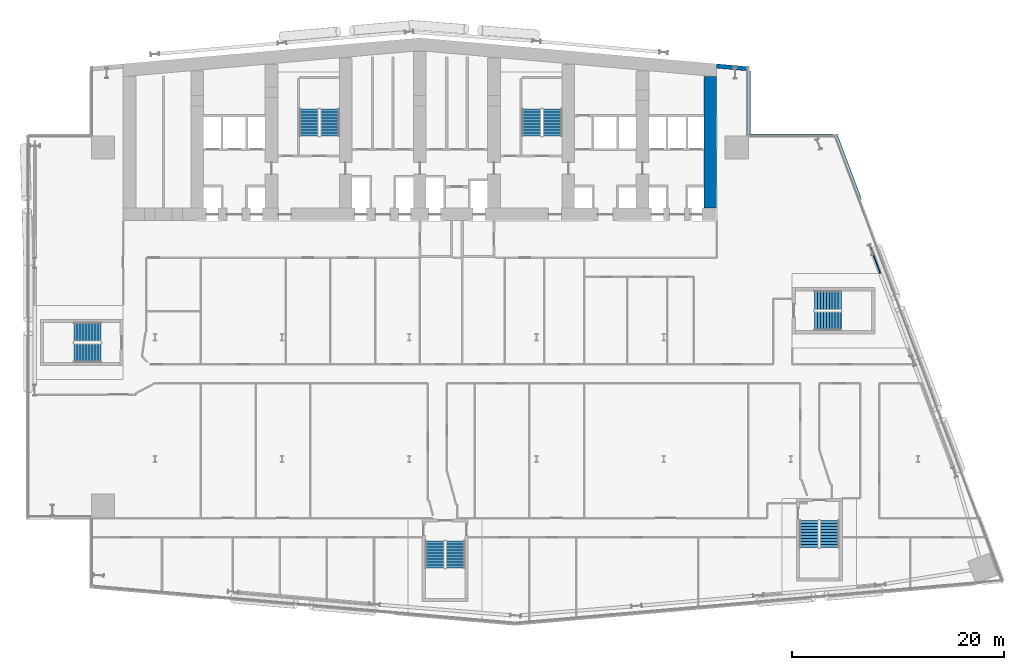
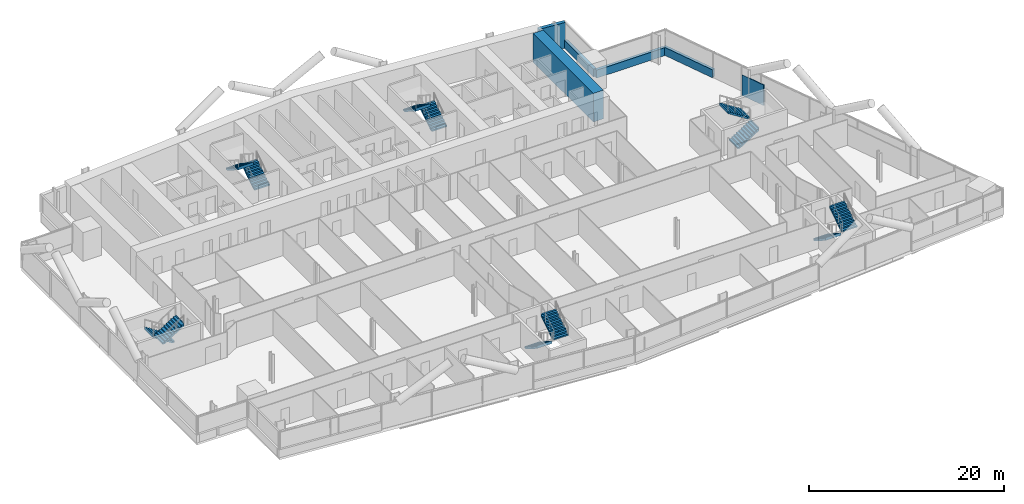
# One storey, part 21 of 28: 12 stair flights, 6 walls, 6 elements without a shape of their own.
"""IFC4 building model written with IfcOpenShell, lengths in metres."""

from ifc_helpers import new_model, si_unit, direction, frame, frame_2d, origin, place, context, subcontext, project, spatial, polyline, rectangle, outline, extrude, material, layer, layer_set, type_object, element, aggregate, save


model = new_model("IFC4")

# Units and contexts
model_context = context("Model", 3, precision=1e-05, world=origin(), true_north=direction((0.0, 1.0)))
body_context = subcontext(model_context, "Body", "Model", "MODEL_VIEW")
ifc_project = project(units=[si_unit("LENGTHUNIT", "METRE"), si_unit("AREAUNIT", "SQUARE_METRE"), si_unit("VOLUMEUNIT", "CUBIC_METRE"), si_unit("PLANEANGLEUNIT", "RADIAN"), si_unit("MASSUNIT", "GRAM", prefix="KILO")], contexts=[model_context])

# Site, building, storey
site_placement = place(None, origin())
site = spatial("IfcSite", under=ifc_project, at=site_placement, CompositionType="ELEMENT")
building_placement = place(site_placement, origin())
building = spatial("IfcBuilding", under=site, at=building_placement, Name="Wharfspan Tower", CompositionType="ELEMENT")
storey_placement = place(building_placement, frame((0.0, 0.0, 52.300049)))
storey = spatial("IfcBuildingStorey", under=building, at=storey_placement, Name="L09", CompositionType="ELEMENT", Elevation=52.300049)

# Walls
ifc_material_1 = material(Name="Concrete C70/85", Category="concrete")
ifc_layer_1 = layer(ifc_material_1, 1.199951)
ifc_layer_set_1 = layer_set([ifc_layer_1], Name="Concrete C70/85")
wall_type_1 = type_object("IfcWallType", Name="Core wall 1200 C70/85", PredefinedType="SHEAR", material=ifc_layer_set_1)
wall_1_placement = place(storey_placement, frame((64.399902, 35.199951, 0.0), z_axis=(0.0, 0.0, 1.0), x_axis=(0.0, 1.0, 0.0)))
element("IfcWall", 1, at=wall_1_placement, inside=storey, type_object=wall_type_1, Name="Core cross wall EW1 L09", PredefinedType="SHEAR", context=body_context, shape_type="SweptSolid", body=[
    extrude(rectangle(XDim=12.382812, YDim=1.199951, at=frame_2d((6.191406, 0.0))), origin(), (0.0, 0.0, 1.0), 3.599854),
])
ifc_material_2 = material(Name="Gypsum board on steel studs", Category="steel")
ifc_layer_2 = layer(ifc_material_2, 0.100098)
ifc_layer_set_2 = layer_set([ifc_layer_2], Name="Gypsum board on steel studs")
wall_type_2 = type_object("IfcWallType", Name="Partition 100", PredefinedType="PARTITIONING", material=ifc_layer_set_2)
wall_2_placement = place(storey_placement, frame((80.44751, 29.02002, 0.0), z_axis=(0.0, 0.0, 1.0), x_axis=(-0.35129, 0.93627, 0.0)))
element("IfcWall", 2, at=wall_2_placement, inside=storey, type_object=wall_type_2, Name="Partition L09.w086", PredefinedType="PARTITIONING", context=body_context, shape_type="SweptSolid", body=[
    extrude(rectangle(XDim=2.910645, YDim=0.100098, at=frame_2d((1.455322, 0.0))), origin(), (0.0, 0.0, 1.0), 2.579834),
])
ifc_material_3 = material(Name="Concrete C40/50", Category="concrete")
ifc_layer_3 = layer(ifc_material_3, 0.350098)
ifc_layer_set_3 = layer_set([ifc_layer_3], Name="Concrete C40/50")
wall_type_3 = type_object("IfcWallType", Name="SPANDREL EXPOSED CONCRETE 350", PredefinedType="SOLIDWALL", material=ifc_layer_set_3)
wall_3_placement = place(storey_placement, frame((78.494141, 36.029785, 0.0), z_axis=(0.0, 0.0, 1.0), x_axis=(-0.351108, 0.936338, 0.0)))
element("IfcWall", 3, at=wall_3_placement, inside=storey, type_object=wall_type_3, Name="Spandrel upstand L09 E 2", PredefinedType="SOLIDWALL", context=body_context, shape_type="SweptSolid", body=[
    extrude(rectangle(XDim=6.50293, YDim=0.350098, at=frame_2d((3.251465, 0.0))), origin(), (0.0, 0.0, 1.0), 1.0),
])
wall_4_placement = place(storey_placement, frame((76.047119, 42.004883, 0.0), z_axis=(0.0, 0.0, 1.0), x_axis=(-1.0, 0.0, 0.0)))
element("IfcWall", 4, at=wall_4_placement, inside=storey, type_object=wall_type_3, Name="Spandrel upstand L09 NRE-H", PredefinedType="SOLIDWALL", context=body_context, shape_type="SweptSolid", body=[
    extrude(rectangle(XDim=8.047119, YDim=0.350098, at=frame_2d((4.023438, 0.0))), origin(), (0.0, 0.0, 1.0), 1.0),
])
wall_5_placement = place(storey_placement, frame((68.004883, 42.179932, 0.0), z_axis=(0.0, 0.0, 1.0), x_axis=(0.0, 1.0, 0.0)))
element("IfcWall", 5, at=wall_5_placement, inside=storey, type_object=wall_type_3, Name="Spandrel upstand L09 NRE-V", PredefinedType="SOLIDWALL", context=body_context, shape_type="SweptSolid", body=[
    extrude(rectangle(XDim=5.946533, YDim=0.350098, at=frame_2d((2.973145, 0.0))), origin(), (0.0, 0.0, 1.0), 1.0),
])
ifc_layer_4 = layer(ifc_material_3, 0.399902)
ifc_layer_set_4 = layer_set([ifc_layer_4], Name="Concrete C40/50")
wall_type_4 = type_object("IfcWallType", Name="WALL EXPOSED CONCRETE 400", PredefinedType="SOLIDWALL", material=ifc_layer_set_4)
wall_6_placement = place(storey_placement, frame((67.982666, 48.325684, 0.0), z_axis=(0.0, 0.0, 1.0), x_axis=(-0.996194, 0.087168, 0.0)))
element("IfcWall", 6, at=wall_6_placement, inside=storey, type_object=wall_type_4, Name="Rear wall N2", PredefinedType="SOLIDWALL", context=body_context, shape_type="SweptSolid", body=[
    extrude(rectangle(XDim=2.994141, YDim=0.399902, at=frame_2d((1.49707, 0.0))), origin(), (0.0, 0.0, 1.0), 3.199951),
])

# Stair, stair flights
stair_type = type_object("IfcStairType", Name="Half-turn stair 20 risers 180 mm", PredefinedType="HALF_TURN_STAIR", material=ifc_material_3)
stair_1_placement = place(storey_placement, origin())
stair_1 = element("IfcStair", 7, at=stair_1_placement, inside=storey, type_object=stair_type, Name="L09 stair ST1", PredefinedType="HALF_TURN_STAIR")
stair_flight_type = type_object("IfcStairFlightType", Name="Stair flight 20 risers 180 mm", PredefinedType="STRAIGHT", material=ifc_material_3)
stair_flight_1_placement = place(storey_placement, frame((28.5, 42.0, 0.0), z_axis=(0.0, 0.0, 1.0), x_axis=(0.0, 1.0, 0.0)))
stair_flight_1 = element("IfcStairFlight", 8, at=stair_flight_1_placement, type_object=stair_flight_type, Name="ST1 flight 1", NumberOfRisers=10, NumberOfTreads=9, PredefinedType="STRAIGHT", RiserHeight=0.18, TreadLength=0.28, context=body_context, shape_type="SweptSolid", body=[
    extrude(outline(polyline([(-0.011963, 0.0), (-0.011963, 0.179932), (0.0, 0.179932), (0.280029, 0.179932), (0.280029, 0.360107), (0.560059, 0.360107), (0.560059, 0.540039), (0.840088, 0.540039), (0.840088, 0.719971), (1.120117, 0.719971), (1.120117, 0.899902), (1.399902, 0.899902), (1.399902, 1.080078), (1.679932, 1.080078), (1.679932, 1.26001), (1.959961, 1.26001), (1.959961, 1.439941), (2.23999, 1.439941), (2.23999, 1.620117), (2.52002, 1.620117), (2.531982, 1.800049), (2.531982, 1.441895), (0.2771, 0.0), (-0.011963, 0.0)])), frame((0.0, 0.899902, 0.0), z_axis=(0.0, -1.0, 0.0), x_axis=(1.0, 0.0, 0.0)), (0.0, 0.0, 1.0), 0.899414),
    extrude(outline(polyline([(-0.011963, 0.0), (-0.011963, 0.179932), (0.0, 0.179932), (0.280029, 0.179932), (0.280029, 0.360107), (0.560059, 0.360107), (0.560059, 0.540039), (0.840088, 0.540039), (0.840088, 0.719971), (1.120117, 0.719971), (1.120117, 0.899902), (1.399902, 0.899902), (1.399902, 1.080078), (1.679932, 1.080078), (1.679932, 1.26001), (1.959961, 1.26001), (1.959961, 1.439941), (2.23999, 1.439941), (2.23999, 1.620117), (2.52002, 1.620117), (2.531982, 1.800049), (2.531982, 1.441895), (0.2771, 0.0), (-0.011963, 0.0)])), frame((0.0, -0.000488, 0.0), z_axis=(0.0, -1.0, 0.0), x_axis=(1.0, 0.0, 0.0)), (0.0, 0.0, 1.0), 0.899414),
])
stair_flight_2_placement = place(storey_placement, frame((26.550049, 44.52002, 1.800049), z_axis=(0.0, 0.0, 1.0), x_axis=(0.0, -1.0, 0.0)))
stair_flight_2 = element("IfcStairFlight", 9, at=stair_flight_2_placement, type_object=stair_flight_type, Name="ST1 flight 2", NumberOfRisers=10, NumberOfTreads=9, PredefinedType="STRAIGHT", RiserHeight=0.18, TreadLength=0.28, context=body_context, shape_type="SweptSolid", body=[
    extrude(outline(polyline([(-0.011963, 0.0), (-0.011963, 0.179932), (0.0, 0.179932), (0.280029, 0.179932), (0.280029, 0.360107), (0.560059, 0.360107), (0.560059, 0.540039), (0.840088, 0.540039), (0.840088, 0.719971), (1.120117, 0.719971), (1.120117, 0.899902), (1.399902, 0.899902), (1.399902, 1.080078), (1.679932, 1.080078), (1.679932, 1.26001), (1.959961, 1.26001), (1.959961, 1.439941), (2.23999, 1.439941), (2.23999, 1.620117), (2.52002, 1.620117), (2.531982, 1.800049), (2.531982, 1.441895), (0.2771, 0.0), (-0.011963, 0.0)])), frame((0.0, 0.899902, 0.0), z_axis=(0.0, -1.0, 0.0), x_axis=(1.0, 0.0, 0.0)), (0.0, 0.0, 1.0), 0.899414),
    extrude(outline(polyline([(-0.011963, 0.0), (-0.011963, 0.179932), (0.0, 0.179932), (0.280029, 0.179932), (0.280029, 0.360107), (0.560059, 0.360107), (0.560059, 0.540039), (0.840088, 0.540039), (0.840088, 0.719971), (1.120117, 0.719971), (1.120117, 0.899902), (1.399902, 0.899902), (1.399902, 1.080078), (1.679932, 1.080078), (1.679932, 1.26001), (1.959961, 1.26001), (1.959961, 1.439941), (2.23999, 1.439941), (2.23999, 1.620117), (2.52002, 1.620117), (2.531982, 1.800049), (2.531982, 1.441895), (0.2771, 0.0), (-0.011963, 0.0)])), frame((0.0, -0.000488, 0.0), z_axis=(0.0, -1.0, 0.0), x_axis=(1.0, 0.0, 0.0)), (0.0, 0.0, 1.0), 0.899414),
])
aggregate(stair_1, [stair_flight_1, stair_flight_2])

stair_2_placement = place(storey_placement, origin())
stair_2 = element("IfcStair", 10, at=stair_2_placement, inside=storey, type_object=stair_type, Name="L09 stair ST2", PredefinedType="HALF_TURN_STAIR")
stair_flight_3_placement = place(storey_placement, frame((49.5, 42.0, 0.0), z_axis=(0.0, 0.0, 1.0), x_axis=(0.0, 1.0, 0.0)))
stair_flight_3 = element("IfcStairFlight", 11, at=stair_flight_3_placement, type_object=stair_flight_type, Name="ST2 flight 1", NumberOfRisers=10, NumberOfTreads=9, PredefinedType="STRAIGHT", RiserHeight=0.18, TreadLength=0.28, context=body_context, shape_type="SweptSolid", body=[
    extrude(outline(polyline([(-0.011963, 0.0), (-0.011963, 0.179932), (0.0, 0.179932), (0.280029, 0.179932), (0.280029, 0.360107), (0.560059, 0.360107), (0.560059, 0.540039), (0.840088, 0.540039), (0.840088, 0.719971), (1.120117, 0.719971), (1.120117, 0.899902), (1.399902, 0.899902), (1.399902, 1.080078), (1.679932, 1.080078), (1.679932, 1.26001), (1.959961, 1.26001), (1.959961, 1.439941), (2.23999, 1.439941), (2.23999, 1.620117), (2.52002, 1.620117), (2.531982, 1.800049), (2.531982, 1.441895), (0.2771, 0.0), (-0.011963, 0.0)])), frame((0.0, 0.899902, 0.0), z_axis=(0.0, -1.0, 0.0), x_axis=(1.0, 0.0, 0.0)), (0.0, 0.0, 1.0), 0.899414),
    extrude(outline(polyline([(-0.011963, 0.0), (-0.011963, 0.179932), (0.0, 0.179932), (0.280029, 0.179932), (0.280029, 0.360107), (0.560059, 0.360107), (0.560059, 0.540039), (0.840088, 0.540039), (0.840088, 0.719971), (1.120117, 0.719971), (1.120117, 0.899902), (1.399902, 0.899902), (1.399902, 1.080078), (1.679932, 1.080078), (1.679932, 1.26001), (1.959961, 1.26001), (1.959961, 1.439941), (2.23999, 1.439941), (2.23999, 1.620117), (2.52002, 1.620117), (2.531982, 1.800049), (2.531982, 1.441895), (0.2771, 0.0), (-0.011963, 0.0)])), frame((0.0, -0.000488, 0.0), z_axis=(0.0, -1.0, 0.0), x_axis=(1.0, 0.0, 0.0)), (0.0, 0.0, 1.0), 0.899414),
])
stair_flight_4_placement = place(storey_placement, frame((47.550049, 44.52002, 1.800049), z_axis=(0.0, 0.0, 1.0), x_axis=(0.0, -1.0, 0.0)))
stair_flight_4 = element("IfcStairFlight", 12, at=stair_flight_4_placement, type_object=stair_flight_type, Name="ST2 flight 2", NumberOfRisers=10, NumberOfTreads=9, PredefinedType="STRAIGHT", RiserHeight=0.18, TreadLength=0.28, context=body_context, shape_type="SweptSolid", body=[
    extrude(outline(polyline([(-0.011963, 0.0), (-0.011963, 0.179932), (0.0, 0.179932), (0.280029, 0.179932), (0.280029, 0.360107), (0.560059, 0.360107), (0.560059, 0.540039), (0.840088, 0.540039), (0.840088, 0.719971), (1.120117, 0.719971), (1.120117, 0.899902), (1.399902, 0.899902), (1.399902, 1.080078), (1.679932, 1.080078), (1.679932, 1.26001), (1.959961, 1.26001), (1.959961, 1.439941), (2.23999, 1.439941), (2.23999, 1.620117), (2.52002, 1.620117), (2.531982, 1.800049), (2.531982, 1.441895), (0.2771, 0.0), (-0.011963, 0.0)])), frame((0.0, 0.899902, 0.0), z_axis=(0.0, -1.0, 0.0), x_axis=(1.0, 0.0, 0.0)), (0.0, 0.0, 1.0), 0.899414),
    extrude(outline(polyline([(-0.011963, 0.0), (-0.011963, 0.179932), (0.0, 0.179932), (0.280029, 0.179932), (0.280029, 0.360107), (0.560059, 0.360107), (0.560059, 0.540039), (0.840088, 0.540039), (0.840088, 0.719971), (1.120117, 0.719971), (1.120117, 0.899902), (1.399902, 0.899902), (1.399902, 1.080078), (1.679932, 1.080078), (1.679932, 1.26001), (1.959961, 1.26001), (1.959961, 1.439941), (2.23999, 1.439941), (2.23999, 1.620117), (2.52002, 1.620117), (2.531982, 1.800049), (2.531982, 1.441895), (0.2771, 0.0), (-0.011963, 0.0)])), frame((0.0, -0.000488, 0.0), z_axis=(0.0, -1.0, 0.0), x_axis=(1.0, 0.0, 0.0)), (0.0, 0.0, 1.0), 0.899414),
])
aggregate(stair_2, [stair_flight_3, stair_flight_4])

stair_3_placement = place(storey_placement, origin())
stair_3 = element("IfcStair", 13, at=stair_3_placement, inside=storey, type_object=stair_type, Name="L09 stair ST3", PredefinedType="HALF_TURN_STAIR")
stair_flight_5_placement = place(storey_placement, frame((6.899902, 23.475098, 0.0), z_axis=(0.0, 0.0, 1.0), x_axis=(-1.0, 0.0, 0.0)))
stair_flight_5 = element("IfcStairFlight", 14, at=stair_flight_5_placement, type_object=stair_flight_type, Name="ST3 flight 1", NumberOfRisers=10, NumberOfTreads=9, PredefinedType="STRAIGHT", RiserHeight=0.18, TreadLength=0.28, context=body_context, shape_type="SweptSolid", body=[
    extrude(outline(polyline([(-0.011963, 0.0), (-0.011963, 0.179932), (0.0, 0.179932), (0.280029, 0.179932), (0.280029, 0.360107), (0.560059, 0.360107), (0.560059, 0.540039), (0.840088, 0.540039), (0.840088, 0.719971), (1.120117, 0.719971), (1.120117, 0.899902), (1.399902, 0.899902), (1.399902, 1.080078), (1.679932, 1.080078), (1.679932, 1.26001), (1.959961, 1.26001), (1.959961, 1.439941), (2.23999, 1.439941), (2.23999, 1.620117), (2.52002, 1.620117), (2.531982, 1.800049), (2.531982, 1.441895), (0.2771, 0.0), (-0.011963, 0.0)])), frame((0.0, 0.899902, 0.0), z_axis=(0.0, -1.0, 0.0), x_axis=(1.0, 0.0, 0.0)), (0.0, 0.0, 1.0), 0.899414),
    extrude(outline(polyline([(-0.011963, 0.0), (-0.011963, 0.179932), (0.0, 0.179932), (0.280029, 0.179932), (0.280029, 0.360107), (0.560059, 0.360107), (0.560059, 0.540039), (0.840088, 0.540039), (0.840088, 0.719971), (1.120117, 0.719971), (1.120117, 0.899902), (1.399902, 0.899902), (1.399902, 1.080078), (1.679932, 1.080078), (1.679932, 1.26001), (1.959961, 1.26001), (1.959961, 1.439941), (2.23999, 1.439941), (2.23999, 1.620117), (2.52002, 1.620117), (2.531982, 1.800049), (2.531982, 1.441895), (0.2771, 0.0), (-0.011963, 0.0)])), frame((0.0, -0.000488, 0.0), z_axis=(0.0, -1.0, 0.0), x_axis=(1.0, 0.0, 0.0)), (0.0, 0.0, 1.0), 0.899414),
])
stair_flight_6_placement = place(storey_placement, frame((4.379883, 21.524902, 1.800049), z_axis=(0.0, 0.0, 1.0), x_axis=(1.0, 0.0, 0.0)))
stair_flight_6 = element("IfcStairFlight", 15, at=stair_flight_6_placement, type_object=stair_flight_type, Name="ST3 flight 2", NumberOfRisers=10, NumberOfTreads=9, PredefinedType="STRAIGHT", RiserHeight=0.18, TreadLength=0.28, context=body_context, shape_type="SweptSolid", body=[
    extrude(outline(polyline([(-0.011963, 0.0), (-0.011963, 0.179932), (0.0, 0.179932), (0.280029, 0.179932), (0.280029, 0.360107), (0.560059, 0.360107), (0.560059, 0.540039), (0.840088, 0.540039), (0.840088, 0.719971), (1.120117, 0.719971), (1.120117, 0.899902), (1.399902, 0.899902), (1.399902, 1.080078), (1.679932, 1.080078), (1.679932, 1.26001), (1.959961, 1.26001), (1.959961, 1.439941), (2.23999, 1.439941), (2.23999, 1.620117), (2.52002, 1.620117), (2.531982, 1.800049), (2.531982, 1.441895), (0.2771, 0.0), (-0.011963, 0.0)])), frame((0.0, 0.899902, 0.0), z_axis=(0.0, -1.0, 0.0), x_axis=(1.0, 0.0, 0.0)), (0.0, 0.0, 1.0), 0.899414),
    extrude(outline(polyline([(-0.011963, 0.0), (-0.011963, 0.179932), (0.0, 0.179932), (0.280029, 0.179932), (0.280029, 0.360107), (0.560059, 0.360107), (0.560059, 0.540039), (0.840088, 0.540039), (0.840088, 0.719971), (1.120117, 0.719971), (1.120117, 0.899902), (1.399902, 0.899902), (1.399902, 1.080078), (1.679932, 1.080078), (1.679932, 1.26001), (1.959961, 1.26001), (1.959961, 1.439941), (2.23999, 1.439941), (2.23999, 1.620117), (2.52002, 1.620117), (2.531982, 1.800049), (2.531982, 1.441895), (0.2771, 0.0), (-0.011963, 0.0)])), frame((0.0, -0.000488, 0.0), z_axis=(0.0, -1.0, 0.0), x_axis=(1.0, 0.0, 0.0)), (0.0, 0.0, 1.0), 0.899414),
])
aggregate(stair_3, [stair_flight_5, stair_flight_6])

stair_4_placement = place(storey_placement, origin())
stair_4 = element("IfcStair", 16, at=stair_4_placement, inside=storey, type_object=stair_type, Name="L09 stair ST4", PredefinedType="HALF_TURN_STAIR")
stair_flight_7_placement = place(storey_placement, frame((38.408203, 3.760498, 0.0), z_axis=(0.0, 0.0, 1.0), x_axis=(0.0, -1.0, 0.0)))
stair_flight_7 = element("IfcStairFlight", 17, at=stair_flight_7_placement, type_object=stair_flight_type, Name="ST4 flight 1", NumberOfRisers=10, NumberOfTreads=9, PredefinedType="STRAIGHT", RiserHeight=0.18, TreadLength=0.28, context=body_context, shape_type="SweptSolid", body=[
    extrude(outline(polyline([(-0.011963, 0.0), (-0.011963, 0.179932), (0.0, 0.179932), (0.280029, 0.179932), (0.280029, 0.360107), (0.560059, 0.360107), (0.560059, 0.540039), (0.840088, 0.540039), (0.840088, 0.719971), (1.120117, 0.719971), (1.120117, 0.899902), (1.399902, 0.899902), (1.399902, 1.080078), (1.679932, 1.080078), (1.679932, 1.26001), (1.959961, 1.26001), (1.959961, 1.439941), (2.23999, 1.439941), (2.23999, 1.620117), (2.52002, 1.620117), (2.531982, 1.800049), (2.531982, 1.441895), (0.2771, 0.0), (-0.011963, 0.0)])), frame((0.0, 0.899902, 0.0), z_axis=(0.0, -1.0, 0.0), x_axis=(1.0, 0.0, 0.0)), (0.0, 0.0, 1.0), 0.899414),
    extrude(outline(polyline([(-0.011963, 0.0), (-0.011963, 0.179932), (0.0, 0.179932), (0.280029, 0.179932), (0.280029, 0.360107), (0.560059, 0.360107), (0.560059, 0.540039), (0.840088, 0.540039), (0.840088, 0.719971), (1.120117, 0.719971), (1.120117, 0.899902), (1.399902, 0.899902), (1.399902, 1.080078), (1.679932, 1.080078), (1.679932, 1.26001), (1.959961, 1.26001), (1.959961, 1.439941), (2.23999, 1.439941), (2.23999, 1.620117), (2.52002, 1.620117), (2.531982, 1.800049), (2.531982, 1.441895), (0.2771, 0.0), (-0.011963, 0.0)])), frame((0.0, -0.000488, 0.0), z_axis=(0.0, -1.0, 0.0), x_axis=(1.0, 0.0, 0.0)), (0.0, 0.0, 1.0), 0.899414),
])
stair_flight_8_placement = place(storey_placement, frame((40.358398, 1.240723, 1.800049), z_axis=(0.0, 0.0, 1.0), x_axis=(0.0, 1.0, 0.0)))
stair_flight_8 = element("IfcStairFlight", 18, at=stair_flight_8_placement, type_object=stair_flight_type, Name="ST4 flight 2", NumberOfRisers=10, NumberOfTreads=9, PredefinedType="STRAIGHT", RiserHeight=0.18, TreadLength=0.28, context=body_context, shape_type="SweptSolid", body=[
    extrude(outline(polyline([(-0.011963, 0.0), (-0.011963, 0.179932), (0.0, 0.179932), (0.280029, 0.179932), (0.280029, 0.360107), (0.560059, 0.360107), (0.560059, 0.540039), (0.840088, 0.540039), (0.840088, 0.719971), (1.120117, 0.719971), (1.120117, 0.899902), (1.399902, 0.899902), (1.399902, 1.080078), (1.679932, 1.080078), (1.679932, 1.26001), (1.959961, 1.26001), (1.959961, 1.439941), (2.23999, 1.439941), (2.23999, 1.620117), (2.52002, 1.620117), (2.531982, 1.800049), (2.531982, 1.441895), (0.2771, 0.0), (-0.011963, 0.0)])), frame((0.0, 0.899902, 0.0), z_axis=(0.0, -1.0, 0.0), x_axis=(1.0, 0.0, 0.0)), (0.0, 0.0, 1.0), 0.899414),
    extrude(outline(polyline([(-0.011963, 0.0), (-0.011963, 0.179932), (0.0, 0.179932), (0.280029, 0.179932), (0.280029, 0.360107), (0.560059, 0.360107), (0.560059, 0.540039), (0.840088, 0.540039), (0.840088, 0.719971), (1.120117, 0.719971), (1.120117, 0.899902), (1.399902, 0.899902), (1.399902, 1.080078), (1.679932, 1.080078), (1.679932, 1.26001), (1.959961, 1.26001), (1.959961, 1.439941), (2.23999, 1.439941), (2.23999, 1.620117), (2.52002, 1.620117), (2.531982, 1.800049), (2.531982, 1.441895), (0.2771, 0.0), (-0.011963, 0.0)])), frame((0.0, -0.000488, 0.0), z_axis=(0.0, -1.0, 0.0), x_axis=(1.0, 0.0, 0.0)), (0.0, 0.0, 1.0), 0.899414),
])
aggregate(stair_4, [stair_flight_7, stair_flight_8])

stair_5_placement = place(storey_placement, origin())
stair_5 = element("IfcStair", 19, at=stair_5_placement, inside=storey, type_object=stair_type, Name="L09 stair ST5", PredefinedType="HALF_TURN_STAIR")
stair_flight_9_placement = place(storey_placement, frame((73.717529, 5.691895, 0.0), z_axis=(0.0, 0.0, 1.0), x_axis=(0.0, -1.0, 0.0)))
stair_flight_9 = element("IfcStairFlight", 20, at=stair_flight_9_placement, type_object=stair_flight_type, Name="ST5 flight 1", NumberOfRisers=10, NumberOfTreads=9, PredefinedType="STRAIGHT", RiserHeight=0.18, TreadLength=0.28, context=body_context, shape_type="SweptSolid", body=[
    extrude(outline(polyline([(-0.011963, 0.0), (-0.011963, 0.179932), (0.0, 0.179932), (0.280029, 0.179932), (0.280029, 0.360107), (0.560059, 0.360107), (0.560059, 0.540039), (0.840088, 0.540039), (0.840088, 0.719971), (1.120117, 0.719971), (1.120117, 0.899902), (1.399902, 0.899902), (1.399902, 1.080078), (1.679932, 1.080078), (1.679932, 1.26001), (1.959961, 1.26001), (1.959961, 1.439941), (2.23999, 1.439941), (2.23999, 1.620117), (2.52002, 1.620117), (2.531982, 1.800049), (2.531982, 1.441895), (0.2771, 0.0), (-0.011963, 0.0)])), frame((0.0, 0.899902, 0.0), z_axis=(0.0, -1.0, 0.0), x_axis=(1.0, 0.0, 0.0)), (0.0, 0.0, 1.0), 0.899414),
    extrude(outline(polyline([(-0.011963, 0.0), (-0.011963, 0.179932), (0.0, 0.179932), (0.280029, 0.179932), (0.280029, 0.360107), (0.560059, 0.360107), (0.560059, 0.540039), (0.840088, 0.540039), (0.840088, 0.719971), (1.120117, 0.719971), (1.120117, 0.899902), (1.399902, 0.899902), (1.399902, 1.080078), (1.679932, 1.080078), (1.679932, 1.26001), (1.959961, 1.26001), (1.959961, 1.439941), (2.23999, 1.439941), (2.23999, 1.620117), (2.52002, 1.620117), (2.531982, 1.800049), (2.531982, 1.441895), (0.2771, 0.0), (-0.011963, 0.0)])), frame((0.0, -0.000488, 0.0), z_axis=(0.0, -1.0, 0.0), x_axis=(1.0, 0.0, 0.0)), (0.0, 0.0, 1.0), 0.899414),
])
stair_flight_10_placement = place(storey_placement, frame((75.66748, 3.172119, 1.800049), z_axis=(0.0, 0.0, 1.0), x_axis=(0.0, 1.0, 0.0)))
stair_flight_10 = element("IfcStairFlight", 21, at=stair_flight_10_placement, type_object=stair_flight_type, Name="ST5 flight 2", NumberOfRisers=10, NumberOfTreads=9, PredefinedType="STRAIGHT", RiserHeight=0.18, TreadLength=0.28, context=body_context, shape_type="SweptSolid", body=[
    extrude(outline(polyline([(-0.011963, 0.0), (-0.011963, 0.179932), (0.0, 0.179932), (0.280029, 0.179932), (0.280029, 0.360107), (0.560059, 0.360107), (0.560059, 0.540039), (0.840088, 0.540039), (0.840088, 0.719971), (1.120117, 0.719971), (1.120117, 0.899902), (1.399902, 0.899902), (1.399902, 1.080078), (1.679932, 1.080078), (1.679932, 1.26001), (1.959961, 1.26001), (1.959961, 1.439941), (2.23999, 1.439941), (2.23999, 1.620117), (2.52002, 1.620117), (2.531982, 1.800049), (2.531982, 1.441895), (0.2771, 0.0), (-0.011963, 0.0)])), frame((0.0, 0.899902, 0.0), z_axis=(0.0, -1.0, 0.0), x_axis=(1.0, 0.0, 0.0)), (0.0, 0.0, 1.0), 0.899414),
    extrude(outline(polyline([(-0.011963, 0.0), (-0.011963, 0.179932), (0.0, 0.179932), (0.280029, 0.179932), (0.280029, 0.360107), (0.560059, 0.360107), (0.560059, 0.540039), (0.840088, 0.540039), (0.840088, 0.719971), (1.120117, 0.719971), (1.120117, 0.899902), (1.399902, 0.899902), (1.399902, 1.080078), (1.679932, 1.080078), (1.679932, 1.26001), (1.959961, 1.26001), (1.959961, 1.439941), (2.23999, 1.439941), (2.23999, 1.620117), (2.52002, 1.620117), (2.531982, 1.800049), (2.531982, 1.441895), (0.2771, 0.0), (-0.011963, 0.0)])), frame((0.0, -0.000488, 0.0), z_axis=(0.0, -1.0, 0.0), x_axis=(1.0, 0.0, 0.0)), (0.0, 0.0, 1.0), 0.899414),
])
aggregate(stair_5, [stair_flight_9, stair_flight_10])

stair_6_placement = place(storey_placement, origin())
stair_6 = element("IfcStair", 22, at=stair_6_placement, inside=storey, type_object=stair_type, Name="L09 stair ST6", PredefinedType="HALF_TURN_STAIR")
stair_flight_11_placement = place(storey_placement, frame((74.225098, 24.524902, 0.0), z_axis=(0.0, 0.0, 1.0), x_axis=(1.0, 0.0, 0.0)))
stair_flight_11 = element("IfcStairFlight", 23, at=stair_flight_11_placement, type_object=stair_flight_type, Name="ST6 flight 1", NumberOfRisers=10, NumberOfTreads=9, PredefinedType="STRAIGHT", RiserHeight=0.18, TreadLength=0.28, context=body_context, shape_type="SweptSolid", body=[
    extrude(outline(polyline([(-0.011963, 0.0), (-0.011963, 0.179932), (0.0, 0.179932), (0.280029, 0.179932), (0.280029, 0.360107), (0.560059, 0.360107), (0.560059, 0.540039), (0.840088, 0.540039), (0.840088, 0.719971), (1.120117, 0.719971), (1.120117, 0.899902), (1.399902, 0.899902), (1.399902, 1.080078), (1.679932, 1.080078), (1.679932, 1.26001), (1.959961, 1.26001), (1.959961, 1.439941), (2.23999, 1.439941), (2.23999, 1.620117), (2.52002, 1.620117), (2.531982, 1.800049), (2.531982, 1.441895), (0.2771, 0.0), (-0.011963, 0.0)])), frame((0.0, 0.899902, 0.0), z_axis=(0.0, -1.0, 0.0), x_axis=(1.0, 0.0, 0.0)), (0.0, 0.0, 1.0), 0.899414),
    extrude(outline(polyline([(-0.011963, 0.0), (-0.011963, 0.179932), (0.0, 0.179932), (0.280029, 0.179932), (0.280029, 0.360107), (0.560059, 0.360107), (0.560059, 0.540039), (0.840088, 0.540039), (0.840088, 0.719971), (1.120117, 0.719971), (1.120117, 0.899902), (1.399902, 0.899902), (1.399902, 1.080078), (1.679932, 1.080078), (1.679932, 1.26001), (1.959961, 1.26001), (1.959961, 1.439941), (2.23999, 1.439941), (2.23999, 1.620117), (2.52002, 1.620117), (2.531982, 1.800049), (2.531982, 1.441895), (0.2771, 0.0), (-0.011963, 0.0)])), frame((0.0, -0.000488, 0.0), z_axis=(0.0, -1.0, 0.0), x_axis=(1.0, 0.0, 0.0)), (0.0, 0.0, 1.0), 0.899414),
])
stair_flight_12_placement = place(storey_placement, frame((76.745117, 26.475098, 1.800049), z_axis=(0.0, 0.0, 1.0), x_axis=(-1.0, 0.0, 0.0)))
stair_flight_12 = element("IfcStairFlight", 24, at=stair_flight_12_placement, type_object=stair_flight_type, Name="ST6 flight 2", NumberOfRisers=10, NumberOfTreads=9, PredefinedType="STRAIGHT", RiserHeight=0.18, TreadLength=0.28, context=body_context, shape_type="SweptSolid", body=[
    extrude(outline(polyline([(-0.011963, 0.0), (-0.011963, 0.179932), (0.0, 0.179932), (0.280029, 0.179932), (0.280029, 0.360107), (0.560059, 0.360107), (0.560059, 0.540039), (0.840088, 0.540039), (0.840088, 0.719971), (1.120117, 0.719971), (1.120117, 0.899902), (1.399902, 0.899902), (1.399902, 1.080078), (1.679932, 1.080078), (1.679932, 1.26001), (1.959961, 1.26001), (1.959961, 1.439941), (2.23999, 1.439941), (2.23999, 1.620117), (2.52002, 1.620117), (2.531982, 1.800049), (2.531982, 1.441895), (0.2771, 0.0), (-0.011963, 0.0)])), frame((0.0, 0.899902, 0.0), z_axis=(0.0, -1.0, 0.0), x_axis=(1.0, 0.0, 0.0)), (0.0, 0.0, 1.0), 0.899414),
    extrude(outline(polyline([(-0.011963, 0.0), (-0.011963, 0.179932), (0.0, 0.179932), (0.280029, 0.179932), (0.280029, 0.360107), (0.560059, 0.360107), (0.560059, 0.540039), (0.840088, 0.540039), (0.840088, 0.719971), (1.120117, 0.719971), (1.120117, 0.899902), (1.399902, 0.899902), (1.399902, 1.080078), (1.679932, 1.080078), (1.679932, 1.26001), (1.959961, 1.26001), (1.959961, 1.439941), (2.23999, 1.439941), (2.23999, 1.620117), (2.52002, 1.620117), (2.531982, 1.800049), (2.531982, 1.441895), (0.2771, 0.0), (-0.011963, 0.0)])), frame((0.0, -0.000488, 0.0), z_axis=(0.0, -1.0, 0.0), x_axis=(1.0, 0.0, 0.0)), (0.0, 0.0, 1.0), 0.899414),
])
aggregate(stair_6, [stair_flight_11, stair_flight_12])

save(model, "model.ifc")
